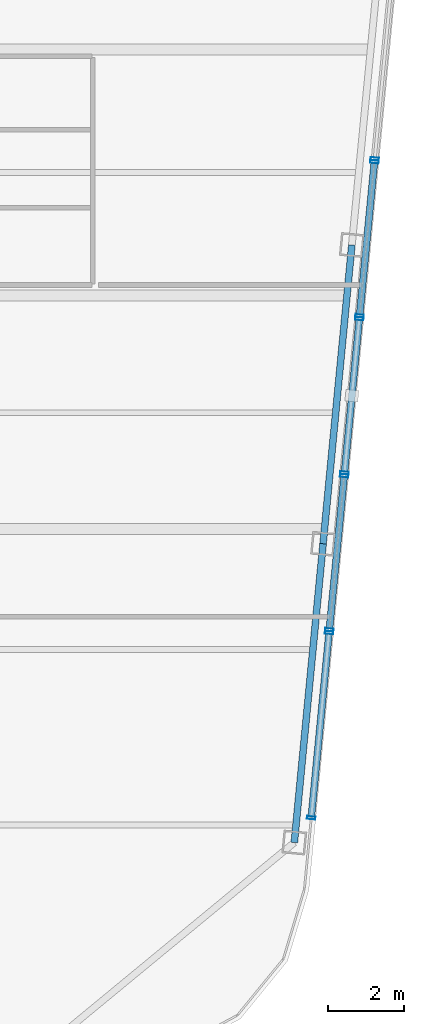
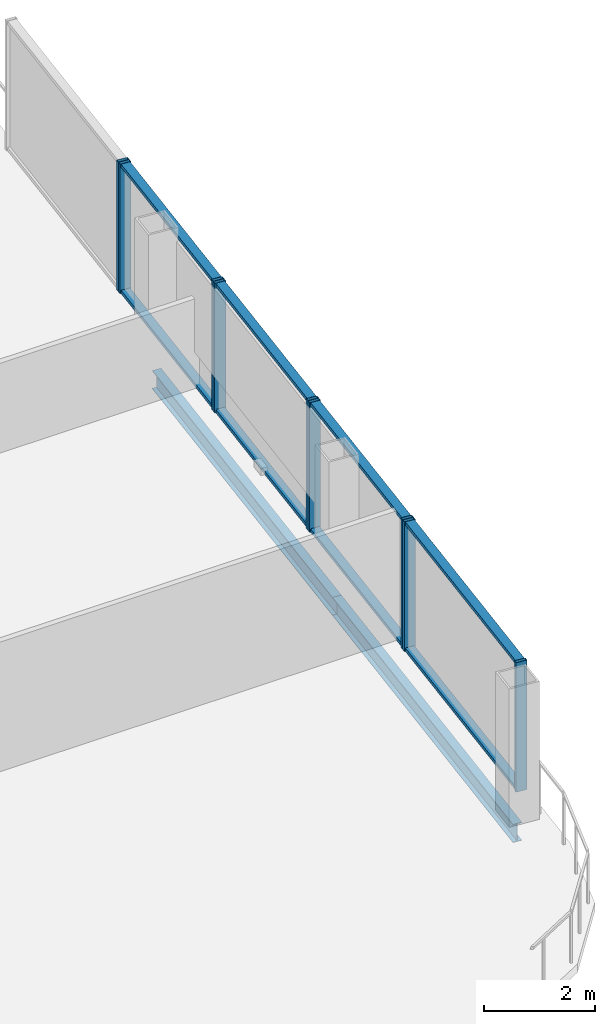
# One storey, part 11 of 23: 17 members, 2 beams, 5 elements without a shape of their own.
"""IFC4 building model written with IfcOpenShell, lengths in metres."""

import ifcopenshell
import ifcopenshell.guid

model = None  # the IFC model being written
_history = None  # IfcOwnerHistory: only IFC2X3 demands one
_inside = {}  # id of a spatial element -> (the spatial element, [elements in it])
_under = {}  # id of a project, library or spatial element -> (it, [spatial elements below it])
_declared = {}  # id of a project -> (the project, [libraries it declares])
_typed = {}  # id of a type object -> (the type object, [elements of that type])
_made_of = {}  # id of a material, layer set ... -> (it, [elements and type objects made of it])


def new_model(schema):
    """Start an empty IFC model of exactly this schema.

    Asked for "IFC4X3", IfcOpenShell would pick the latest addendum, in which some entities
    have other attributes; the version numbers below select the first issue.
    IFC2X3 requires an IfcOwnerHistory on every rooted entity: one is made here for all.
    """
    global model, _history
    if schema == "IFC4X3":
        model = ifcopenshell.file(schema_version=(4, 3, 0, 0))
    else:
        model = ifcopenshell.file(schema=schema)
    _inside.clear()
    _under.clear()
    _declared.clear()
    _typed.clear()
    _made_of.clear()
    _history = None
    if model.schema == "IFC2X3":
        org = make("IfcOrganization", Name="unknown")
        user = make(
            "IfcPersonAndOrganization",
            ThePerson=make("IfcPerson", FamilyName="unknown"),
            TheOrganization=org,
        )
        app = make(
            "IfcApplication",
            ApplicationDeveloper=org,
            Version="unknown",
            ApplicationFullName="unknown",
            ApplicationIdentifier="unknown",
        )
        _history = make(
            "IfcOwnerHistory",
            OwningUser=user,
            OwningApplication=app,
            ChangeAction="ADDED",
            CreationDate=0,
        )
    return model


def make(cls, **values):
    """One entity of the class cls with the attributes given. An attribute that is None is left unset."""
    return model.create_entity(
        cls, **{name: value for name, value in values.items() if value is not None}
    )


def rooted(cls, **values):
    """An entity with a GlobalId (a new one), such as an element, a storey or a relation."""
    return make(cls, GlobalId=ifcopenshell.guid.new(), OwnerHistory=_history, **values)


def si_unit(unit_type, name, prefix=None):
    """IfcSIUnit, for example si_unit("LENGTHUNIT", "METRE", prefix="MILLI")."""
    return make("IfcSIUnit", UnitType=unit_type, Prefix=prefix, Name=name)


def assignment(units):
    """IfcUnitAssignment: the units of a project."""
    return None if units is None else make("IfcUnitAssignment", Units=units)


def point(xyz):
    """IfcCartesianPoint."""
    return None if xyz is None else make("IfcCartesianPoint", Coordinates=xyz)


def direction(xyz):
    """IfcDirection."""
    return None if xyz is None else make("IfcDirection", DirectionRatios=xyz)


def frame(location, z_axis=None, x_axis=None):
    """IfcAxis2Placement3D, a coordinate frame: its origin and axes. An axis left out is left unset."""
    return make(
        "IfcAxis2Placement3D",
        Location=point(location),
        Axis=direction(z_axis),
        RefDirection=direction(x_axis),
    )


def frame_2d(location, x_axis=None):
    """IfcAxis2Placement2D, a coordinate frame in the plane: its origin and x axis."""
    return make(
        "IfcAxis2Placement2D", Location=point(location), RefDirection=direction(x_axis)
    )


def origin():
    """The frame at (0, 0, 0) with its axes left unset."""
    return frame((0.0, 0.0, 0.0))


def origin_2d():
    """The frame at (0, 0) in the plane with its x axis left unset."""
    return frame_2d((0.0, 0.0))


def place(relative_to, where):
    """IfcLocalPlacement: puts the frame where relative to a parent placement (None: the world)."""
    return make(
        "IfcLocalPlacement", PlacementRelTo=relative_to, RelativePlacement=where
    )


def context(
    kind, dimensions, precision=None, world=None, true_north=None, identifier=None
):
    """IfcGeometricRepresentationContext, for example the 3D "Model" context."""
    return make(
        "IfcGeometricRepresentationContext",
        ContextIdentifier=identifier,
        ContextType=kind,
        CoordinateSpaceDimension=dimensions,
        Precision=precision,
        WorldCoordinateSystem=world,
        TrueNorth=true_north,
    )


def subcontext(parent, identifier, kind, view, scale=None):
    """IfcGeometricRepresentationSubContext, for example "Body" below "Model"."""
    return make(
        "IfcGeometricRepresentationSubContext",
        ContextIdentifier=identifier,
        ContextType=kind,
        ParentContext=parent,
        TargetScale=scale,
        TargetView=view,
    )


def project(units=None, contexts=None):
    """IfcProject with its units and contexts."""
    return rooted(
        "IfcProject",
        Name="project",
        RepresentationContexts=contexts,
        UnitsInContext=assignment(units),
    )


def spatial(cls, under=None, at=None, **own):
    """A site, building, storey or space (cls), placed at a placement, below another one or the project."""
    s = rooted(cls, ObjectPlacement=at, **own)
    if under is not None:
        _under.setdefault(under.id(), (under, []))[1].append(s)
    return s


def profile(cls, at=None, kind="AREA", **sizes):
    """A parametric profile (cls). Its sizes go by their IFC names, for example OverallWidth=200.0."""
    return make(cls, ProfileType=kind, Position=at, **sizes)


def hollow_rectangle(**sizes):
    """IfcRectangleHollowProfileDef."""
    return profile("IfcRectangleHollowProfileDef", **sizes)


def i_section(**sizes):
    """IfcIShapeProfileDef."""
    return profile("IfcIShapeProfileDef", **sizes)


def extrude(swept, where, along, depth):
    """IfcExtrudedAreaSolid: the profile swept, set in the frame where, extruded along a direction by depth."""
    return make(
        "IfcExtrudedAreaSolid",
        SweptArea=swept,
        Position=where,
        ExtrudedDirection=direction(along),
        Depth=depth,
    )


def shape(context_of_items, identifier, shape_type, items):
    """IfcShapeRepresentation: the items that make up one representation, for example the "Body"."""
    return make(
        "IfcShapeRepresentation",
        ContextOfItems=context_of_items,
        RepresentationIdentifier=identifier,
        RepresentationType=shape_type,
        Items=items,
    )


def material(Name=None, Category=None):
    """IfcMaterial."""
    return make("IfcMaterial", Name=Name, Category=Category)


def layer(
    of_material, thickness, ventilated=None, Name=None, Category=None, Priority=None
):
    """IfcMaterialLayer: one layer of a wall or slab, of a material (None: an air gap)."""
    return make(
        "IfcMaterialLayer",
        Material=of_material,
        LayerThickness=thickness,
        IsVentilated=ventilated,
        Name=Name,
        Category=Category,
        Priority=Priority,
    )


def layer_set(layers, Name=None):
    """IfcMaterialLayerSet."""
    return make("IfcMaterialLayerSet", MaterialLayers=layers, LayerSetName=Name)


def material_profile(
    of_material, cross_section, Name=None, Category=None, Priority=None
):
    """IfcMaterialProfile: a cross section and its material."""
    return make(
        "IfcMaterialProfile",
        Name=Name,
        Material=of_material,
        Profile=cross_section,
        Priority=Priority,
        Category=Category,
    )


def profile_set(profiles, Name=None, composite=None):
    """IfcMaterialProfileSet."""
    return make(
        "IfcMaterialProfileSet",
        Name=Name,
        MaterialProfiles=profiles,
        CompositeProfile=composite,
    )


def made_of(thing, what):
    """Note that an element or type object is made of a material, layer set ...; save() writes the relation."""
    if what is not None:
        _made_of.setdefault(what.id(), (what, []))[1].append(thing)
    return thing


def type_object(cls, material=None, **own):
    """A type object (cls), such as IfcWallType, which elements share."""
    return made_of(rooted(cls, **own), material)


def element(
    cls,
    number,
    at=None,
    inside=None,
    cuts=None,
    type_object=None,
    material=None,
    context=None,
    identifier="Body",
    shape_type=None,
    held_by="IfcProductDefinitionShape",
    body=None,
    shapes=None,
    **own,
):
    """One element of the class cls, such as IfcWall. Its Tag is "e" and its number.

    at: its placement. inside: the storey or other place that contains it. cuts: it is an
    opening in that element (IfcRelVoidsElement). A single representation is given by context,
    identifier, shape_type and body (its items); several are given by shapes. held_by: the class
    of the entity that holds the representations. save() writes the other relations.
    """
    e = rooted(cls, Tag="e%d" % number, ObjectPlacement=at, **own)
    if body is not None:
        shapes = [shape(context, identifier, shape_type, body)]
    if shapes is not None:
        e.Representation = make(held_by, Representations=shapes)
    if inside is not None:
        _inside.setdefault(inside.id(), (inside, []))[1].append(e)
    if cuts is not None:
        rooted(
            "IfcRelVoidsElement", RelatingBuildingElement=cuts, RelatedOpeningElement=e
        )
    if type_object is not None:
        _typed.setdefault(type_object.id(), (type_object, []))[1].append(e)
    return made_of(e, material)


def aggregate(whole, parts):
    """IfcRelAggregates: a whole, such as a stair, and the parts it consists of."""
    return rooted("IfcRelAggregates", RelatingObject=whole, RelatedObjects=parts)


def save(model, path):
    """Write the relations noted so far, then the file.

    IfcRelAggregates (storeys below a building ...), IfcRelContainedInSpatialStructure (elements
    in a storey), IfcRelDefinesByType, IfcRelAssociatesMaterial and IfcRelDeclares: one each for
    every whole, place, type object, material and project.
    """
    for whole, parts in _under.values():
        aggregate(whole, parts)
    for where, things in _inside.values():
        rooted(
            "IfcRelContainedInSpatialStructure",
            RelatedElements=things,
            RelatingStructure=where,
        )
    for kind, things in _typed.values():
        rooted("IfcRelDefinesByType", RelatedObjects=things, RelatingType=kind)
    for what, things in _made_of.values():
        rooted("IfcRelAssociatesMaterial", RelatedObjects=things, RelatingMaterial=what)
    for by, libraries in _declared.values():
        rooted("IfcRelDeclares", RelatingContext=by, RelatedDefinitions=libraries)
    model.write(path)


model = new_model("IFC4")

# Units and contexts
model_context = context("Model", 3, precision=1e-05, world=origin(), true_north=direction((0.0, 1.0)))
body_context = subcontext(model_context, "Body", "Model", "MODEL_VIEW")
ifc_project = project(units=[si_unit("LENGTHUNIT", "METRE"), si_unit("AREAUNIT", "SQUARE_METRE"), si_unit("VOLUMEUNIT", "CUBIC_METRE"), si_unit("PLANEANGLEUNIT", "RADIAN"), si_unit("MASSUNIT", "GRAM", prefix="KILO")], contexts=[model_context])

# Site, building, storey
site_placement = place(None, origin())
site = spatial("IfcSite", under=ifc_project, at=site_placement, CompositionType="ELEMENT")
building_placement = place(site_placement, origin())
building = spatial("IfcBuilding", under=site, at=building_placement, Name="Qhalaya Broadcast Tower", CompositionType="ELEMENT")
storey_placement = place(building_placement, frame((0.0, 0.0, 264.199951171875)))
storey = spatial("IfcBuildingStorey", under=building, at=storey_placement, Name="L78", CompositionType="ELEMENT", Elevation=264.199951171875)

# Curtain wall, members
ifc_material_1 = material(Name="Fired Architectural Terracotta", Category="masonry")
ifc_layer_1 = layer(ifc_material_1, 0.219970703125, Name="Fired Architectural Terracotta")
ifc_layer_set_1 = layer_set([ifc_layer_1], Name="Fired Architectural Terracotta")
curtain_wall_type_1 = type_object("IfcCurtainWallType", Name="Block-Cap Unitised Terracotta Spandrel Wall CW-07", PredefinedType="NOTDEFINED", material=ifc_layer_set_1)
curtain_wall_1_placement = place(storey_placement, origin())
curtain_wall_1 = element("IfcCurtainWall", 1, at=curtain_wall_1_placement, inside=storey, type_object=curtain_wall_type_1, Name="L78 Unitised Curtain Wall L78-CW-E1", PredefinedType="NOTDEFINED")
ifc_material_2 = material(Name="Anodised Aluminium 6063-T6", Category="aluminium")
ifc_material_profile_1 = material_profile(ifc_material_2, hollow_rectangle(XDim=0.074951171875, YDim=0.219970703125, WallThickness=0.00390625, at=origin_2d()), Name="ALU-MUL 75x220x4")
ifc_profile_set_1 = profile_set([ifc_material_profile_1], Name="Anodised Aluminium 6063-T6")
member_type_1 = type_object("IfcMemberType", Name="Unitised Curtain-Wall Mullion M01", PredefinedType="MULLION", material=ifc_profile_set_1)
member_1_placement = place(storey_placement, frame((20.272705078125, -16.315185546875, 0.0), z_axis=(0.0, 0.0, 1.0), x_axis=(0.095840154905, 0.99539673734, 0.0)))
member_1 = element("IfcMember", 2, at=member_1_placement, type_object=member_type_1, Name="CW-07 mullion 1", PredefinedType="MULLION", context=body_context, shape_type="SweptSolid", body=[
    extrude(hollow_rectangle(XDim=0.074951171875, YDim=0.219970703125, WallThickness=0.00390625, at=origin_2d()), origin(), (0.0, 0.0, 1.0), 2.860107421875),
])
member_2_placement = place(storey_placement, frame((20.739990234375, -11.46044921875, 0.0), z_axis=(0.0, 0.0, 1.0), x_axis=(0.095840154905, 0.99539673734, 0.0)))
member_2 = element("IfcMember", 3, at=member_2_placement, type_object=member_type_1, Name="CW-07 mullion 2", PredefinedType="MULLION", context=body_context, shape_type="SweptSolid", body=[
    extrude(hollow_rectangle(XDim=0.074951171875, YDim=0.219970703125, WallThickness=0.00390625, at=origin_2d()), origin(), (0.0, 0.0, 1.0), 2.860107421875),
])

ifc_material_3 = material(Name="Solar-Control Low-E Triple Glazing", Category="glass")
ifc_layer_2 = layer(ifc_material_3, 0.219970703125, Name="Solar-Control Low-E Triple Glazing")
ifc_layer_set_2 = layer_set([ifc_layer_2], Name="Solar-Control Low-E Triple Glazing")
curtain_wall_type_2 = type_object("IfcCurtainWallType", Name="High-Altitude Upper-Shaft Triple Low-E Curtain Wall CW-04", PredefinedType="NOTDEFINED", material=ifc_layer_set_2)
curtain_wall_2_placement = place(storey_placement, origin())
curtain_wall_2 = element("IfcCurtainWall", 4, at=curtain_wall_2_placement, inside=storey, type_object=curtain_wall_type_2, Name="L78 Unitised Curtain Wall L78-CW-E2", PredefinedType="NOTDEFINED")
member_3_placement = place(storey_placement, frame((20.747314453125, -11.385986328125, 0.0), z_axis=(0.0, 0.0, 1.0), x_axis=(0.095859120729, 0.995394911064, 0.0)))
member_3 = element("IfcMember", 5, at=member_3_placement, type_object=member_type_1, Name="CW-04 mullion 1", PredefinedType="MULLION", context=body_context, shape_type="SweptSolid", body=[
    extrude(hollow_rectangle(XDim=0.074951171875, YDim=0.219970703125, WallThickness=0.00390625, at=origin_2d()), origin(), (0.0, 0.0, 1.0), 2.860107421875),
])
member_4_placement = place(storey_placement, frame((21.135986328125, -7.349609375, 0.0), z_axis=(0.0, 0.0, 1.0), x_axis=(0.095859120729, 0.995394911064, 0.0)))
member_4 = element("IfcMember", 6, at=member_4_placement, type_object=member_type_1, Name="CW-04 mullion 2", PredefinedType="MULLION", context=body_context, shape_type="SweptSolid", body=[
    extrude(hollow_rectangle(XDim=0.074951171875, YDim=0.219970703125, WallThickness=0.00390625, at=origin_2d()), origin(), (0.0, 0.0, 1.0), 2.860107421875),
])

curtain_wall_3_placement = place(storey_placement, origin())
curtain_wall_3 = element("IfcCurtainWall", 7, at=curtain_wall_3_placement, inside=storey, type_object=curtain_wall_type_1, Name="L78 Unitised Curtain Wall L78-CW-E3", PredefinedType="NOTDEFINED")
member_5_placement = place(storey_placement, frame((21.14306640625, -7.27490234375, 0.0), z_axis=(0.0, 0.0, 1.0), x_axis=(0.095842786142, 0.995396483992, 0.0)))
member_5 = element("IfcMember", 8, at=member_5_placement, type_object=member_type_1, Name="CW-07 mullion 1", PredefinedType="MULLION", context=body_context, shape_type="SweptSolid", body=[
    extrude(hollow_rectangle(XDim=0.074951171875, YDim=0.219970703125, WallThickness=0.00390625, at=origin_2d()), origin(), (0.0, 0.0, 1.0), 2.860107421875),
])
member_6_placement = place(storey_placement, frame((21.5322265625, -3.232666015625, 0.0), z_axis=(0.0, 0.0, 1.0), x_axis=(0.095842786142, 0.995396483992, 0.0)))
member_6 = element("IfcMember", 9, at=member_6_placement, type_object=member_type_1, Name="CW-07 mullion 2", PredefinedType="MULLION", context=body_context, shape_type="SweptSolid", body=[
    extrude(hollow_rectangle(XDim=0.074951171875, YDim=0.219970703125, WallThickness=0.00390625, at=origin_2d()), origin(), (0.0, 0.0, 1.0), 2.860107421875),
])

curtain_wall_4_placement = place(storey_placement, origin())
curtain_wall_4 = element("IfcCurtainWall", 10, at=curtain_wall_4_placement, inside=storey, type_object=curtain_wall_type_2, Name="L78 Unitised Curtain Wall L78-CW-E4", PredefinedType="NOTDEFINED")
member_7_placement = place(storey_placement, frame((21.53955078125, -3.157958984375, 0.0), z_axis=(0.0, 0.0, 1.0), x_axis=(0.095859120729, 0.995394911064, 0.0)))
member_7 = element("IfcMember", 11, at=member_7_placement, type_object=member_type_1, Name="CW-04 mullion 1", PredefinedType="MULLION", context=body_context, shape_type="SweptSolid", body=[
    extrude(hollow_rectangle(XDim=0.074951171875, YDim=0.219970703125, WallThickness=0.00390625, at=origin_2d()), origin(), (0.0, 0.0, 1.0), 2.860107421875),
])
member_8_placement = place(storey_placement, frame((21.92822265625, 0.87841796875, 0.0), z_axis=(0.0, 0.0, 1.0), x_axis=(0.095859120729, 0.995394911064, 0.0)))
member_8 = element("IfcMember", 12, at=member_8_placement, type_object=member_type_1, Name="CW-04 mullion 2", PredefinedType="MULLION", context=body_context, shape_type="SweptSolid", body=[
    extrude(hollow_rectangle(XDim=0.074951171875, YDim=0.219970703125, WallThickness=0.00390625, at=origin_2d()), origin(), (0.0, 0.0, 1.0), 2.860107421875),
])

# Curtain wall, member
curtain_wall_5_placement = place(storey_placement, origin())
curtain_wall_5 = element("IfcCurtainWall", 13, at=curtain_wall_5_placement, inside=storey, type_object=curtain_wall_type_1, Name="L78 Unitised Curtain Wall L78-CW-E5", PredefinedType="NOTDEFINED")
member_9_placement = place(storey_placement, frame((21.935302734375, 0.953125, 0.0), z_axis=(0.0, 0.0, 1.0), x_axis=(0.095840154905, 0.99539673734, 0.0)))
member_9 = element("IfcMember", 14, at=member_9_placement, type_object=member_type_1, Name="CW-07 mullion 1", PredefinedType="MULLION", context=body_context, shape_type="SweptSolid", body=[
    extrude(hollow_rectangle(XDim=0.074951171875, YDim=0.219970703125, WallThickness=0.00390625, at=origin_2d()), origin(), (0.0, 0.0, 1.0), 2.860107421875),
])
aggregate(curtain_wall_5, [member_9])

# Member
ifc_material_profile_2 = material_profile(ifc_material_2, hollow_rectangle(XDim=0.074951171875, YDim=0.179931640625, WallThickness=0.00390625, at=origin_2d()), Name="ALU-TRN 75x180x4")
ifc_profile_set_2 = profile_set([ifc_material_profile_2], Name="Anodised Aluminium 6063-T6")
member_type_2 = type_object("IfcMemberType", Name="Unitised Curtain-Wall Transom T01", PredefinedType="USERDEFINED", material=ifc_profile_set_2)
member_10_placement = place(storey_placement, frame((20.276123046875, -16.27783203125, 0.03759765625), z_axis=(0.095833498035, 0.995397378264, 0.0), x_axis=(0.0, 0.0, 1.0)))
member_10 = element("IfcMember", 15, at=member_10_placement, type_object=member_type_2, Name="CW-07 transom 1.1", ObjectType="TRANSOM", PredefinedType="USERDEFINED", context=body_context, shape_type="SweptSolid", body=[
    extrude(hollow_rectangle(XDim=0.074951171875, YDim=0.179931640625, WallThickness=0.00390625, at=origin_2d()), origin(), (0.0, 0.0, 1.0), 4.80224609375),
])

member_11_placement = place(storey_placement, frame((20.276123046875, -16.27783203125, 2.822509765625), z_axis=(0.095833498035, 0.995397378264, 0.0), x_axis=(0.0, 0.0, 1.0)))
member_11 = element("IfcMember", 16, at=member_11_placement, type_object=member_type_2, Name="CW-07 transom 1.2", ObjectType="TRANSOM", PredefinedType="USERDEFINED", context=body_context, shape_type="SweptSolid", body=[
    extrude(hollow_rectangle(XDim=0.074951171875, YDim=0.179931640625, WallThickness=0.00390625, at=origin_2d()), origin(), (0.0, 0.0, 1.0), 4.80224609375),
])

aggregate(curtain_wall_1, [member_1, member_2, member_10, member_11])

member_12_placement = place(storey_placement, frame((20.750732421875, -11.3486328125, 0.03759765625), z_axis=(0.095877212213, 0.995393168642, 0.0), x_axis=(0.0, 0.0, 1.0)))
member_12 = element("IfcMember", 17, at=member_12_placement, type_object=member_type_2, Name="CW-04 transom 1.1", ObjectType="TRANSOM", PredefinedType="USERDEFINED", context=body_context, shape_type="SweptSolid", body=[
    extrude(hollow_rectangle(XDim=0.074951171875, YDim=0.179931640625, WallThickness=0.00390625, at=origin_2d()), origin(), (0.0, 0.0, 1.0), 3.97998046875),
])

member_13_placement = place(storey_placement, frame((20.750732421875, -11.3486328125, 2.822509765625), z_axis=(0.095877212213, 0.995393168642, 0.0), x_axis=(0.0, 0.0, 1.0)))
member_13 = element("IfcMember", 18, at=member_13_placement, type_object=member_type_2, Name="CW-04 transom 1.2", ObjectType="TRANSOM", PredefinedType="USERDEFINED", context=body_context, shape_type="SweptSolid", body=[
    extrude(hollow_rectangle(XDim=0.074951171875, YDim=0.179931640625, WallThickness=0.00390625, at=origin_2d()), origin(), (0.0, 0.0, 1.0), 3.97998046875),
])

aggregate(curtain_wall_2, [member_3, member_4, member_12, member_13])

member_14_placement = place(storey_placement, frame((21.146728515625, -7.237548828125, 0.03759765625), z_axis=(0.095858295501, 0.995394990536, 0.0), x_axis=(0.0, 0.0, 1.0)))
member_14 = element("IfcMember", 19, at=member_14_placement, type_object=member_type_2, Name="CW-07 transom 1.1", ObjectType="TRANSOM", PredefinedType="USERDEFINED", context=body_context, shape_type="SweptSolid", body=[
    extrude(hollow_rectangle(XDim=0.074951171875, YDim=0.179931640625, WallThickness=0.00390625, at=origin_2d()), origin(), (0.0, 0.0, 1.0), 3.98583984375),
])

member_15_placement = place(storey_placement, frame((21.146728515625, -7.237548828125, 2.822509765625), z_axis=(0.095858295501, 0.995394990536, 0.0), x_axis=(0.0, 0.0, 1.0)))
member_15 = element("IfcMember", 20, at=member_15_placement, type_object=member_type_2, Name="CW-07 transom 1.2", ObjectType="TRANSOM", PredefinedType="USERDEFINED", context=body_context, shape_type="SweptSolid", body=[
    extrude(hollow_rectangle(XDim=0.074951171875, YDim=0.179931640625, WallThickness=0.00390625, at=origin_2d()), origin(), (0.0, 0.0, 1.0), 3.98583984375),
])

aggregate(curtain_wall_3, [member_5, member_6, member_14, member_15])

member_16_placement = place(storey_placement, frame((21.54296875, -3.12060546875, 0.03759765625), z_axis=(0.095877212213, 0.995393168642, 0.0), x_axis=(0.0, 0.0, 1.0)))
member_16 = element("IfcMember", 21, at=member_16_placement, type_object=member_type_2, Name="CW-04 transom 1.1", ObjectType="TRANSOM", PredefinedType="USERDEFINED", context=body_context, shape_type="SweptSolid", body=[
    extrude(hollow_rectangle(XDim=0.074951171875, YDim=0.179931640625, WallThickness=0.00390625, at=origin_2d()), origin(), (0.0, 0.0, 1.0), 3.97998046875),
])

member_17_placement = place(storey_placement, frame((21.54296875, -3.12060546875, 2.822509765625), z_axis=(0.095877212213, 0.995393168642, 0.0), x_axis=(0.0, 0.0, 1.0)))
member_17 = element("IfcMember", 22, at=member_17_placement, type_object=member_type_2, Name="CW-04 transom 1.2", ObjectType="TRANSOM", PredefinedType="USERDEFINED", context=body_context, shape_type="SweptSolid", body=[
    extrude(hollow_rectangle(XDim=0.074951171875, YDim=0.179931640625, WallThickness=0.00390625, at=origin_2d()), origin(), (0.0, 0.0, 1.0), 3.97998046875),
])

aggregate(curtain_wall_4, [member_7, member_8, member_16, member_17])

# Beams
ifc_material_4 = material(Name="Structural Steel ASTM A992 Grade 50", Category="steel")
ifc_material_profile_3 = material_profile(ifc_material_4, i_section(OverallWidth=0.177978515625, OverallDepth=0.406005859375, WebThickness=0.0078125, FlangeThickness=0.0126953125, at=origin_2d()), Name="W16X40")
ifc_profile_set_3 = profile_set([ifc_material_profile_3], Name="Structural Steel ASTM A992 Grade 50")
beam_type = type_object("IfcBeamType", Name="Upper Perimeter Spandrel Beam SP2", PredefinedType="SPANDREL", material=ifc_profile_set_3)
beam_1_placement = place(storey_placement, frame((19.82861328125, -16.962890625, -0.39306640625), z_axis=(0.095837184179, 0.995397023367, 0.0), x_axis=(-0.995397023367, 0.095837184179, 0.0)))
element("IfcBeam", 23, at=beam_1_placement, inside=storey, type_object=beam_type, Name="L78 SP2 L78-SPR-05", PredefinedType="SPANDREL", context=body_context, shape_type="SweptSolid", body=[
    extrude(i_section(OverallWidth=0.177978515625, OverallDepth=0.406005859375, WebThickness=0.0078125, FlangeThickness=0.0126953125, at=origin_2d()), origin(), (0.0, 0.0, 1.0), 7.866455078125),
])
beam_2_placement = place(storey_placement, frame((20.58251953125, -9.132568359375, -0.39306640625), z_axis=(0.095834223619, 0.995397308407, 0.0), x_axis=(-0.995397308407, 0.095834223619, 0.0)))
element("IfcBeam", 24, at=beam_2_placement, inside=storey, type_object=beam_type, Name="L78 SP2 L78-SPR-06", PredefinedType="SPANDREL", context=body_context, shape_type="SweptSolid", body=[
    extrude(i_section(OverallWidth=0.177978515625, OverallDepth=0.406005859375, WebThickness=0.0078125, FlangeThickness=0.0126953125, at=origin_2d()), origin(), (0.0, 0.0, 1.0), 7.86669921875),
])

save(model, "model.ifc")
